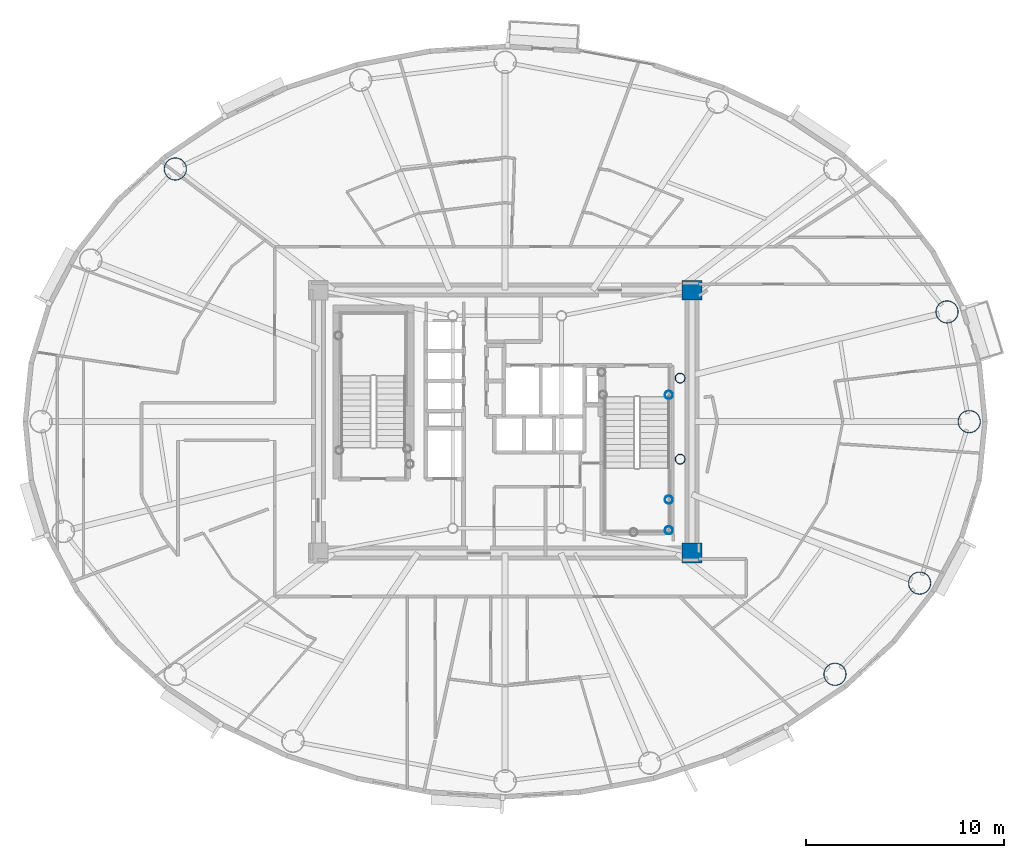
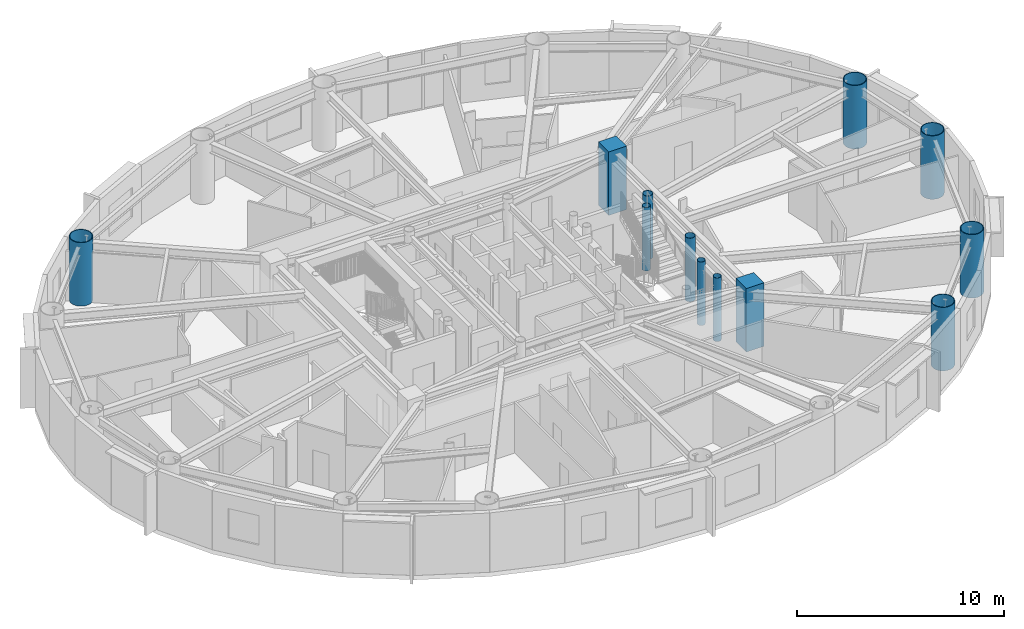
# One storey, part 2 of 20: 12 columns.
"""IFC4 building model written with IfcOpenShell, lengths in metres."""

from ifc_helpers import new_model, si_unit, direction, frame, origin, origin_2d, place, context, subcontext, project, spatial, rectangle, hollow_circle, extrude, material, material_profile, profile_set, type_object, element, save


model = new_model("IFC4")

# Units and contexts
model_context = context("Model", 3, precision=1e-05, world=origin(), true_north=direction((0.0, 1.0)))
body_context = subcontext(model_context, "Body", "Model", "MODEL_VIEW")
ifc_project = project(units=[si_unit("LENGTHUNIT", "METRE"), si_unit("AREAUNIT", "SQUARE_METRE"), si_unit("VOLUMEUNIT", "CUBIC_METRE"), si_unit("PLANEANGLEUNIT", "RADIAN"), si_unit("MASSUNIT", "GRAM", prefix="KILO")], contexts=[model_context])

# Site, building, storey
site_placement = place(None, origin())
site = spatial("IfcSite", under=ifc_project, at=site_placement, CompositionType="ELEMENT")
building_placement = place(site_placement, origin())
building = spatial("IfcBuilding", under=site, at=building_placement, Name="Linh Dai School and Residence Tower", CompositionType="ELEMENT")
storey_placement = place(building_placement, frame((0.0, 0.0, 221.550048828125)))
storey = spatial("IfcBuildingStorey", under=building, at=storey_placement, Name="L54", CompositionType="ELEMENT", Elevation=221.550048828125)

# Columns
ifc_material_1 = material(Name="Concrete B45 (C35/45)", Category="concrete")
ifc_material_profile_1 = material_profile(ifc_material_1, rectangle(XDim=1.0, YDim=1.0, at=origin_2d()), Name="RC 1000x1000")
ifc_profile_set_1 = profile_set([ifc_material_profile_1], Name="Concrete B45 (C35/45)")
column_type_1 = type_object("IfcColumnType", Name="COL-CC3", PredefinedType="COLUMN", material=ifc_profile_set_1)
for number, where, z_axis, x_axis, name in (
    (1, (45.449951171875, 20.35009765625, 0.0), (0.0, 0.0, 1.0), (1.0, 0.0, 0.0), "L54 Core Corner Pier CC2"),
    (2, (45.449951171875, 33.64990234375, 0.0), (0.0, 0.0, 1.0), (1.0, 0.0, 0.0), "L54 Core Corner Pier CC3"),
):
    element("IfcColumn", number, at=place(storey_placement, frame(where, z_axis=z_axis, x_axis=x_axis)), inside=storey, type_object=column_type_1, Name=name, PredefinedType="COLUMN", context=body_context, shape_type="SweptSolid", body=[
        extrude(rectangle(XDim=1.0, YDim=1.0, at=origin_2d()), origin(), (0.0, 0.0, 1.0), 3.75),
    ])
ifc_material_2 = material(Name="Structural Steel S355JR", Category="steel")
ifc_material_profile_2 = material_profile(ifc_material_2, hollow_circle(Radius=0.203125, WallThickness=0.01611328125, at=origin_2d()), Name="CHS 406.4x16")
ifc_profile_set_2 = profile_set([ifc_material_profile_2], Name="Structural Steel S355JR")
column_type_2 = type_object("IfcColumnType", Name="COL-EC", PredefinedType="COLUMN", material=ifc_profile_set_2)
for number, where, z_axis, x_axis, name in (
    (3, (44.280029296875, 21.5, 0.0), (0.0, 0.0, 1.0), (1.0, 0.0, 0.0), "L54 Stair Shaft Landing Support Pier ST2SE"),
    (4, (44.280029296875, 23.050048828125, 0.0), (0.0, 0.0, 1.0), (1.0, 0.0, 0.0), "L54 Stair Shaft Landing Support Pier ST2NE"),
    (5, (44.280029296875, 28.35009765625, 0.0), (0.0, 0.0, 1.0), (1.0, 0.0, 0.0), "L54 Stair Shaft Landing Support Pier ST2N2"),
):
    element("IfcColumn", number, at=place(storey_placement, frame(where, z_axis=z_axis, x_axis=x_axis)), inside=storey, type_object=column_type_2, Name=name, PredefinedType="COLUMN", context=body_context, shape_type="SweptSolid", body=[
        extrude(hollow_circle(Radius=0.203125, WallThickness=0.01611328125, at=origin_2d()), origin(), (0.0, 0.0, 1.0), 3.75),
    ])
ifc_material_profile_3 = material_profile(ifc_material_2, hollow_circle(Radius=0.574951171875, WallThickness=0.035888671875, at=origin_2d()), Name="CHS 1150x36")
ifc_profile_set_3 = profile_set([ifc_material_profile_3], Name="Structural Steel S355JR")
column_type_3 = type_object("IfcColumnType", Name="COL-MC5", PredefinedType="COLUMN", material=ifc_profile_set_3)
for number, where, z_axis, x_axis, name in (
    (6, (59.47509765625, 27.0, 0.0), (0.0, 0.0, 1.0), (1.0, 0.0, 0.0), "L54 Perimeter CFT Mega-Column MC01"),
    (7, (58.351318359375, 32.54931640625, 0.0), (0.0, 0.0, 1.0), (1.0, 0.0, 0.0), "L54 Perimeter CFT Mega-Column MC02"),
    (8, (19.31689453125, 39.781005859375, 0.0), (0.0, 0.0, 1.0), (1.0, 0.0, 0.0), "L54 Perimeter CFT Mega-Column MC07"),
    (9, (52.68310546875, 14.218994140625, 0.0), (0.0, 0.0, 1.0), (1.0, 0.0, 0.0), "L54 Perimeter CFT Mega-Column MC15"),
    (10, (56.96533203125, 18.8310546875, 0.0), (0.0, 0.0, 1.0), (1.0, 0.0, 0.0), "L54 Perimeter CFT Mega-Column MC16"),
):
    element("IfcColumn", number, at=place(storey_placement, frame(where, z_axis=z_axis, x_axis=x_axis)), inside=storey, type_object=column_type_3, Name=name, PredefinedType="COLUMN", context=body_context, shape_type="SweptSolid", body=[
        extrude(hollow_circle(Radius=0.574951171875, WallThickness=0.035888671875, at=origin_2d()), origin(), (0.0, 0.0, 1.0), 3.75),
    ])
ifc_material_profile_4 = material_profile(ifc_material_2, hollow_circle(Radius=0.25390625, WallThickness=0.02001953125, at=origin_2d()), Name="CHS 508x20")
ifc_profile_set_4 = profile_set([ifc_material_profile_4], Name="Structural Steel S355JR")
column_type_4 = type_object("IfcColumnType", Name="COL-MCP", PredefinedType="COLUMN", material=ifc_profile_set_4)
for number, where, z_axis, x_axis, name in (
    (11, (44.85009765625, 25.10009765625, 0.0), (0.0, 0.0, 1.0), (1.0, 0.0, 0.0), "L54 Sky-Lounge Core Anchor Pier S"),
    (12, (44.85009765625, 29.199951171875, 0.0), (0.0, 0.0, 1.0), (1.0, 0.0, 0.0), "L54 Sky-Lounge Core Anchor Pier N"),
):
    element("IfcColumn", number, at=place(storey_placement, frame(where, z_axis=z_axis, x_axis=x_axis)), inside=storey, type_object=column_type_4, Name=name, PredefinedType="COLUMN", context=body_context, shape_type="SweptSolid", body=[
        extrude(hollow_circle(Radius=0.25390625, WallThickness=0.02001953125, at=origin_2d()), origin(), (0.0, 0.0, 1.0), 3.75),
    ])

save(model, "model.ifc")
